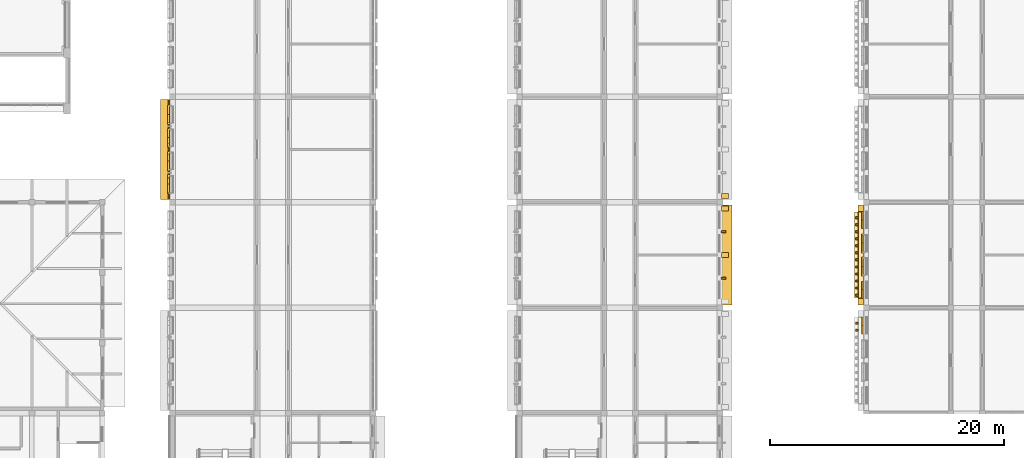
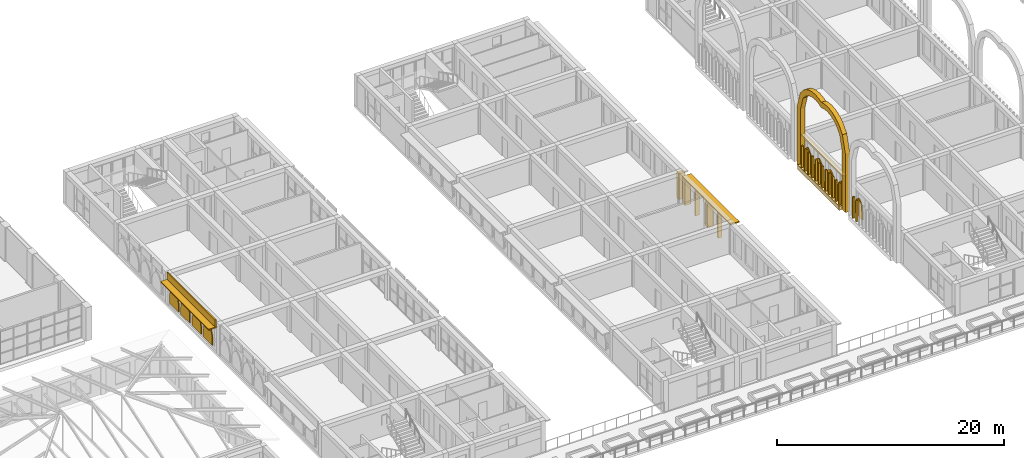
# One storey, part 75 of 82: 23 coverings, 11 shading devices.
"""IFC4 building model written with IfcOpenShell, lengths in metres."""

import ifcopenshell
import ifcopenshell.guid

model = None  # the IFC model being written
_history = None  # IfcOwnerHistory: only IFC2X3 demands one
_inside = {}  # id of a spatial element -> (the spatial element, [elements in it])
_under = {}  # id of a project, library or spatial element -> (it, [spatial elements below it])
_declared = {}  # id of a project -> (the project, [libraries it declares])
_typed = {}  # id of a type object -> (the type object, [elements of that type])
_made_of = {}  # id of a material, layer set ... -> (it, [elements and type objects made of it])


def new_model(schema):
    """Start an empty IFC model of exactly this schema.

    Asked for "IFC4X3", IfcOpenShell would pick the latest addendum, in which some entities
    have other attributes; the version numbers below select the first issue.
    IFC2X3 requires an IfcOwnerHistory on every rooted entity: one is made here for all.
    """
    global model, _history
    if schema == "IFC4X3":
        model = ifcopenshell.file(schema_version=(4, 3, 0, 0))
    else:
        model = ifcopenshell.file(schema=schema)
    _inside.clear()
    _under.clear()
    _declared.clear()
    _typed.clear()
    _made_of.clear()
    _history = None
    if model.schema == "IFC2X3":
        org = make("IfcOrganization", Name="unknown")
        user = make(
            "IfcPersonAndOrganization",
            ThePerson=make("IfcPerson", FamilyName="unknown"),
            TheOrganization=org,
        )
        app = make(
            "IfcApplication",
            ApplicationDeveloper=org,
            Version="unknown",
            ApplicationFullName="unknown",
            ApplicationIdentifier="unknown",
        )
        _history = make(
            "IfcOwnerHistory",
            OwningUser=user,
            OwningApplication=app,
            ChangeAction="ADDED",
            CreationDate=0,
        )
    return model


def make(cls, **values):
    """One entity of the class cls with the attributes given. An attribute that is None is left unset."""
    return model.create_entity(
        cls, **{name: value for name, value in values.items() if value is not None}
    )


def rooted(cls, **values):
    """An entity with a GlobalId (a new one), such as an element, a storey or a relation."""
    return make(cls, GlobalId=ifcopenshell.guid.new(), OwnerHistory=_history, **values)


def si_unit(unit_type, name, prefix=None):
    """IfcSIUnit, for example si_unit("LENGTHUNIT", "METRE", prefix="MILLI")."""
    return make("IfcSIUnit", UnitType=unit_type, Prefix=prefix, Name=name)


def assignment(units):
    """IfcUnitAssignment: the units of a project."""
    return None if units is None else make("IfcUnitAssignment", Units=units)


def point(xyz):
    """IfcCartesianPoint."""
    return None if xyz is None else make("IfcCartesianPoint", Coordinates=xyz)


def direction(xyz):
    """IfcDirection."""
    return None if xyz is None else make("IfcDirection", DirectionRatios=xyz)


def frame(location, z_axis=None, x_axis=None):
    """IfcAxis2Placement3D, a coordinate frame: its origin and axes. An axis left out is left unset."""
    return make(
        "IfcAxis2Placement3D",
        Location=point(location),
        Axis=direction(z_axis),
        RefDirection=direction(x_axis),
    )


def frame_2d(location, x_axis=None):
    """IfcAxis2Placement2D, a coordinate frame in the plane: its origin and x axis."""
    return make(
        "IfcAxis2Placement2D", Location=point(location), RefDirection=direction(x_axis)
    )


def origin():
    """The frame at (0, 0, 0) with its axes left unset."""
    return frame((0.0, 0.0, 0.0))


def origin_2d():
    """The frame at (0, 0) in the plane with its x axis left unset."""
    return frame_2d((0.0, 0.0))


def place(relative_to, where):
    """IfcLocalPlacement: puts the frame where relative to a parent placement (None: the world)."""
    return make(
        "IfcLocalPlacement", PlacementRelTo=relative_to, RelativePlacement=where
    )


def context(
    kind, dimensions, precision=None, world=None, true_north=None, identifier=None
):
    """IfcGeometricRepresentationContext, for example the 3D "Model" context."""
    return make(
        "IfcGeometricRepresentationContext",
        ContextIdentifier=identifier,
        ContextType=kind,
        CoordinateSpaceDimension=dimensions,
        Precision=precision,
        WorldCoordinateSystem=world,
        TrueNorth=true_north,
    )


def subcontext(parent, identifier, kind, view, scale=None):
    """IfcGeometricRepresentationSubContext, for example "Body" below "Model"."""
    return make(
        "IfcGeometricRepresentationSubContext",
        ContextIdentifier=identifier,
        ContextType=kind,
        ParentContext=parent,
        TargetScale=scale,
        TargetView=view,
    )


def project(units=None, contexts=None):
    """IfcProject with its units and contexts."""
    return rooted(
        "IfcProject",
        Name="project",
        RepresentationContexts=contexts,
        UnitsInContext=assignment(units),
    )


def spatial(cls, under=None, at=None, **own):
    """A site, building, storey or space (cls), placed at a placement, below another one or the project."""
    s = rooted(cls, ObjectPlacement=at, **own)
    if under is not None:
        _under.setdefault(under.id(), (under, []))[1].append(s)
    return s


def polyline(points):
    """IfcPolyline through the points."""
    return make("IfcPolyline", Points=[point(p) for p in points])


def profile(cls, at=None, kind="AREA", **sizes):
    """A parametric profile (cls). Its sizes go by their IFC names, for example OverallWidth=200.0."""
    return make(cls, ProfileType=kind, Position=at, **sizes)


def rectangle(**sizes):
    """IfcRectangleProfileDef."""
    return profile("IfcRectangleProfileDef", **sizes)


def outline(outer, holes=None, kind="AREA"):
    """IfcArbitraryClosedProfileDef: a profile drawn as a closed curve; with holes, ...WithVoids."""
    if holes is None:
        return make("IfcArbitraryClosedProfileDef", ProfileType=kind, OuterCurve=outer)
    return make(
        "IfcArbitraryProfileDefWithVoids",
        ProfileType=kind,
        OuterCurve=outer,
        InnerCurves=holes,
    )


def extrude(swept, where, along, depth):
    """IfcExtrudedAreaSolid: the profile swept, set in the frame where, extruded along a direction by depth."""
    return make(
        "IfcExtrudedAreaSolid",
        SweptArea=swept,
        Position=where,
        ExtrudedDirection=direction(along),
        Depth=depth,
    )


def shape(context_of_items, identifier, shape_type, items):
    """IfcShapeRepresentation: the items that make up one representation, for example the "Body"."""
    return make(
        "IfcShapeRepresentation",
        ContextOfItems=context_of_items,
        RepresentationIdentifier=identifier,
        RepresentationType=shape_type,
        Items=items,
    )


def material(Name=None, Category=None):
    """IfcMaterial."""
    return make("IfcMaterial", Name=Name, Category=Category)


def layer(
    of_material, thickness, ventilated=None, Name=None, Category=None, Priority=None
):
    """IfcMaterialLayer: one layer of a wall or slab, of a material (None: an air gap)."""
    return make(
        "IfcMaterialLayer",
        Material=of_material,
        LayerThickness=thickness,
        IsVentilated=ventilated,
        Name=Name,
        Category=Category,
        Priority=Priority,
    )


def layer_set(layers, Name=None):
    """IfcMaterialLayerSet."""
    return make("IfcMaterialLayerSet", MaterialLayers=layers, LayerSetName=Name)


def made_of(thing, what):
    """Note that an element or type object is made of a material, layer set ...; save() writes the relation."""
    if what is not None:
        _made_of.setdefault(what.id(), (what, []))[1].append(thing)
    return thing


def type_object(cls, material=None, **own):
    """A type object (cls), such as IfcWallType, which elements share."""
    return made_of(rooted(cls, **own), material)


def element(
    cls,
    number,
    at=None,
    inside=None,
    cuts=None,
    type_object=None,
    material=None,
    context=None,
    identifier="Body",
    shape_type=None,
    held_by="IfcProductDefinitionShape",
    body=None,
    shapes=None,
    **own,
):
    """One element of the class cls, such as IfcWall. Its Tag is "e" and its number.

    at: its placement. inside: the storey or other place that contains it. cuts: it is an
    opening in that element (IfcRelVoidsElement). A single representation is given by context,
    identifier, shape_type and body (its items); several are given by shapes. held_by: the class
    of the entity that holds the representations. save() writes the other relations.
    """
    e = rooted(cls, Tag="e%d" % number, ObjectPlacement=at, **own)
    if body is not None:
        shapes = [shape(context, identifier, shape_type, body)]
    if shapes is not None:
        e.Representation = make(held_by, Representations=shapes)
    if inside is not None:
        _inside.setdefault(inside.id(), (inside, []))[1].append(e)
    if cuts is not None:
        rooted(
            "IfcRelVoidsElement", RelatingBuildingElement=cuts, RelatedOpeningElement=e
        )
    if type_object is not None:
        _typed.setdefault(type_object.id(), (type_object, []))[1].append(e)
    return made_of(e, material)


def aggregate(whole, parts):
    """IfcRelAggregates: a whole, such as a stair, and the parts it consists of."""
    return rooted("IfcRelAggregates", RelatingObject=whole, RelatedObjects=parts)


def save(model, path):
    """Write the relations noted so far, then the file.

    IfcRelAggregates (storeys below a building ...), IfcRelContainedInSpatialStructure (elements
    in a storey), IfcRelDefinesByType, IfcRelAssociatesMaterial and IfcRelDeclares: one each for
    every whole, place, type object, material and project.
    """
    for whole, parts in _under.values():
        aggregate(whole, parts)
    for where, things in _inside.values():
        rooted(
            "IfcRelContainedInSpatialStructure",
            RelatedElements=things,
            RelatingStructure=where,
        )
    for kind, things in _typed.values():
        rooted("IfcRelDefinesByType", RelatedObjects=things, RelatingType=kind)
    for what, things in _made_of.values():
        rooted("IfcRelAssociatesMaterial", RelatedObjects=things, RelatingMaterial=what)
    for by, libraries in _declared.values():
        rooted("IfcRelDeclares", RelatingContext=by, RelatedDefinitions=libraries)
    model.write(path)


model = new_model("IFC4")

# Units and contexts
model_context = context("Model", 3, precision=1e-05, world=origin(), true_north=direction((0.0, 1.0)))
body_context = subcontext(model_context, "Body", "Model", "MODEL_VIEW")
ifc_project = project(units=[si_unit("LENGTHUNIT", "METRE"), si_unit("AREAUNIT", "SQUARE_METRE"), si_unit("VOLUMEUNIT", "CUBIC_METRE"), si_unit("PLANEANGLEUNIT", "RADIAN"), si_unit("MASSUNIT", "GRAM", prefix="KILO")], contexts=[model_context])

# Site, building, storey
site_placement = place(None, origin())
site = spatial("IfcSite", under=ifc_project, at=site_placement, CompositionType="ELEMENT")
building_placement = place(site_placement, origin())
building = spatial("IfcBuilding", under=site, at=building_placement, Name="Elbe Cascade School", CompositionType="ELEMENT")
storey_placement = place(building_placement, frame((0.0, 0.0, 4.5)))
storey = spatial("IfcBuildingStorey", under=building, at=storey_placement, Name="L01", CompositionType="ELEMENT", Elevation=4.5)

# Shading devices
ifc_material_1 = material(Name="Precast concrete C30/37", Category="concrete")
ifc_layer_1 = layer(ifc_material_1, 0.1201171875)
ifc_layer_set_1 = layer_set([ifc_layer_1], Name="Precast concrete C30/37")
shading_device_type_1 = type_object("IfcShadingDeviceType", Name="Bars envelope Chhajja eave, precast concrete, 900 x 120", PredefinedType="USERDEFINED", material=ifc_layer_set_1)
for number, where, z_axis, x_axis, name in (
    (1, (68.429931640625, 37.5, 2.72998046875), (0.0, 0.0, 1.0), (0.0, 1.0, 0.0), "Chhajja eave SD2 A.L01.w4"),
    (2, (116.27001953125, 28.5, 2.72998046875), (0.0, 0.0, 1.0), (0.0, 1.0, 0.0), "Chhajja eave SD2 B.L01.e3"),
):
    element("IfcShadingDevice", number, at=place(storey_placement, frame(where, z_axis=z_axis, x_axis=x_axis)), inside=storey, type_object=shading_device_type_1, Name=name, ObjectType="CHHAJJA", PredefinedType="USERDEFINED", context=body_context, shape_type="SweptSolid", body=[
        extrude(rectangle(XDim=8.5, YDim=0.89990234375, at=origin_2d()), origin(), (0.0, 0.0, 1.0), 0.1201171875),
    ])
ifc_material_2 = material(Name="Precast concrete C40/50", Category="concrete")
ifc_layer_2 = layer(ifc_material_2, 0.10009765625)
ifc_layer_set_2 = layer_set([ifc_layer_2], Name="Precast concrete C40/50")
shading_device_type_2 = type_object("IfcShadingDeviceType", Name="Bars envelope Jali screen 1400 x 1940, pointed arch rise 1200, pierced precast concrete", PredefinedType="USERDEFINED", material=ifc_layer_set_2)
shading_device_1_placement = place(storey_placement, frame((127.800048828125, 21.77001953125, 1.340087890625), z_axis=(-1.0, 0.0, 0.0), x_axis=(0.0, 0.178010233327, 0.984028636184)))
element("IfcShadingDevice", 3, at=shading_device_1_placement, inside=storey, type_object=shading_device_type_2, Name="Jali screen SD5 C.L01.w2.4", ObjectType="JALI", PredefinedType="USERDEFINED", context=body_context, shape_type="SweptSolid", body=[
    extrude(outline(polyline([(0.0, 0.0), (0.4909961754247877, 0.0), (0.6925449640407739, 0.05260897455936113), (0.8428788821146216, 0.11423458756170396), (0.9653882612323997, 0.18114174736631955), (1.0691153542525929, 0.2511985091151042), (1.1586682066636846, 0.32381938311151803), (1.2367329330241117, 0.3987665558959881), (1.3053847865709356, 0.4751684089694145), (1.26789341576225, 0.5710196155015056), (1.2209891721399608, 0.6683255023225533), (1.1625533429373862, 0.767717446565401), (1.0899867326553312, 0.869913744422134), (0.9986378362756912, 0.9752596442230361), (0.8794644009399817, 1.0858870908262108), (0.7090760950621335, 1.205531175872367), (0.2491969428458631, 1.3775439941116288), (-0.47897463827592734, 1.509269828392377), (-0.7281715811217905, 0.13172583428074836), (0.0, 0.0)])), origin(), (0.0, 0.0, -1.0), 0.10009765625),
])
shading_device_2_placement = place(storey_placement, frame((127.800048828125, 24.830078125, 1.340087890625), z_axis=(-1.0, 0.0, 0.0), x_axis=(0.0, 0.178010233327, 0.984028636184)))
element("IfcShadingDevice", 4, at=shading_device_2_placement, inside=storey, type_object=shading_device_type_2, Name="Jali screen SD5 C.L01.w3.1", ObjectType="JALI", PredefinedType="USERDEFINED", context=body_context, shape_type="SweptSolid", body=[
    extrude(outline(polyline([(0.0, 0.0), (0.4909961754247877, 0.0), (0.6925015045111531, 0.05236873319310516), (0.8428788821146216, 0.11423458756170396), (0.9653448017027789, 0.1809015060000636), (1.0691153542525929, 0.2511985091151042), (1.1586682066636846, 0.32381938311151803), (1.2366894734944909, 0.3985263145297321), (1.3053847865709356, 0.4751684089694145), (1.267849956232629, 0.5707793741352497), (1.2209891721399608, 0.6683255023225533), (1.1625533429373862, 0.767717446565401), (1.0899432731257104, 0.8696735030558779), (0.9986378362756912, 0.9752596442230361), (0.8794209414103609, 1.0856468494599547), (0.7090760950621335, 1.205531175872367), (0.2491969428458631, 1.3775439941116288), (-0.47897463827592734, 1.509269828392377), (-0.7281715811217905, 0.13172583428074836), (0.0, 0.0)])), origin(), (0.0, 0.0, -1.0), 0.10009765625),
])
shading_device_3_placement = place(storey_placement, frame((127.800048828125, 30.77001953125, 1.340087890625), z_axis=(-1.0, 0.0, 0.0), x_axis=(0.0, 0.178010233327, 0.984028636184)))
element("IfcShadingDevice", 5, at=shading_device_3_placement, inside=storey, type_object=shading_device_type_2, Name="Jali screen SD5 C.L01.w3.4", ObjectType="JALI", PredefinedType="USERDEFINED", context=body_context, shape_type="SweptSolid", body=[
    extrude(outline(polyline([(0.0, 0.0), (0.4909961754247877, 0.0), (0.6925449640407739, 0.05260897455936113), (0.8428788821146216, 0.11423458756170396), (0.9653882612323997, 0.18114174736631955), (1.0691153542525929, 0.2511985091151042), (1.1586682066636846, 0.32381938311151803), (1.2367329330241117, 0.3987665558959881), (1.3053847865709356, 0.4751684089694145), (1.26789341576225, 0.5710196155015056), (1.2209891721399608, 0.6683255023225533), (1.1625533429373862, 0.767717446565401), (1.0899867326553312, 0.869913744422134), (0.9986378362756912, 0.9752596442230361), (0.8794644009399817, 1.0858870908262108), (0.7090760950621335, 1.205531175872367), (0.2491969428458631, 1.3775439941116288), (-0.47897463827592734, 1.509269828392377), (-0.7281715811217905, 0.13172583428074836), (0.0, 0.0)])), origin(), (0.0, 0.0, -1.0), 0.10009765625),
])
ifc_material_3 = material(Name="Precast concrete C40/50", Category="concrete")
ifc_layer_3 = layer(ifc_material_3, 0.10009765625)
ifc_layer_set_3 = layer_set([ifc_layer_3], Name="Precast concrete C40/50")
shading_device_type_3 = type_object("IfcShadingDeviceType", Name="Bars envelope Jali screen 1600 x 1940, pointed arch rise 1200, pierced precast concrete", PredefinedType="USERDEFINED", material=ifc_layer_set_3)
shading_device_4_placement = place(storey_placement, frame((68.60009765625, 33.72998046875, 1.340087890625), z_axis=(-1.0, 0.0, 0.0), x_axis=(0.0, 0.196300278283, 0.98054382908)))
element("IfcShadingDevice", 6, at=shading_device_4_placement, inside=storey, type_object=shading_device_type_3, Name="Jali screen SD4 A.L01.w4.1", ObjectType="JALI", PredefinedType="USERDEFINED", context=body_context, shape_type="SweptSolid", body=[
    extrude(outline(polyline([(0.0, 0.0), (0.509921112317134, 0.0), (0.7184015554229473, 0.06009802405484588), (0.8733064327485943, 0.13117061016154), (0.9982395622926888, 0.20799441476340969), (1.102872417131342, 0.2891312241218946), (1.1917054934740825, 0.37343107507379947), (1.268281725197354, 0.45993570394643946), (1.3336545243794973, 0.5489321924158467), (1.3075321958793382, 0.6559965916457164), (1.2702064348380508, 0.7655528504723534), (1.220671754049922, 0.877553277802997), (1.155289369893253, 0.9924773561437888), (1.0696067110311427, 1.1117144392411962), (0.9539523043874798, 1.2367027408337792), (0.7847223319636507, 1.37266560447821), (0.31409961520112845, 1.5689658827607584), (-0.41149324269448634, 1.7142261716949392), (-0.7255928578956148, 0.1452602889341807), (0.0, 0.0)])), origin(), (0.0, 0.0, -1.0), 0.10009765625),
])
for number, where, z_axis, x_axis, name in (
    (7, (68.60009765625, 35.7099609375, 1.340087890625), (-1.0, 0.0, 0.0), (0.0, 0.196300278283, 0.98054382908), "Jali screen SD4 A.L01.w4.2"),
    (8, (68.60009765625, 37.68994140625, 1.340087890625), (-1.0, 0.0, 0.0), (0.0, 0.196300278283, 0.98054382908), "Jali screen SD4 A.L01.w4.3"),
):
    element("IfcShadingDevice", number, at=place(storey_placement, frame(where, z_axis=z_axis, x_axis=x_axis)), inside=storey, type_object=shading_device_type_3, Name=name, ObjectType="JALI", PredefinedType="USERDEFINED", context=body_context, shape_type="SweptSolid", body=[
        extrude(outline(polyline([(0.0, 0.0), (0.509921112317134, 0.0), (0.7184015554229473, 0.06009802405484588), (0.8733064327485943, 0.13117061016154), (0.9982874871653163, 0.20823380534668107), (1.102872417131342, 0.2891312241218946), (1.1917054934740825, 0.37343107507379947), (1.268281725197354, 0.45993570394643946), (1.3336545243794973, 0.5489321924158467), (1.3075801207519657, 0.6562359822289878), (1.2702064348380508, 0.7655528504723534), (1.220671754049922, 0.877553277802997), (1.155289369893253, 0.9924773561437888), (1.0696067110311427, 1.1117144392411962), (0.9540002292601073, 1.2369421314170506), (0.7847223319636507, 1.37266560447821), (0.31409961520112845, 1.5689658827607584), (-0.41149324269448634, 1.7142261716949392), (-0.7255928578956148, 0.1452602889341807), (0.0, 0.0)])), origin(), (0.0, 0.0, -1.0), 0.10009765625),
    ])
shading_device_5_placement = place(storey_placement, frame((68.60009765625, 39.669921875, 1.340087890625), z_axis=(-1.0, 0.0, 0.0), x_axis=(0.0, 0.196300278283, 0.98054382908)))
element("IfcShadingDevice", 9, at=shading_device_5_placement, inside=storey, type_object=shading_device_type_3, Name="Jali screen SD4 A.L01.w4.4", ObjectType="JALI", PredefinedType="USERDEFINED", context=body_context, shape_type="SweptSolid", body=[
    extrude(outline(polyline([(0.0, 0.0), (0.509921112317134, 0.0), (0.7184494802955748, 0.06033741463811729), (0.8733064327485943, 0.13117061016154), (0.9982874871653163, 0.20823380534668107), (1.102872417131342, 0.2891312241218946), (1.1917054934740825, 0.37343107507379947), (1.2683296500699814, 0.46017509452971084), (1.3336545243794973, 0.5489321924158467), (1.3075801207519657, 0.6562359822289878), (1.2702064348380508, 0.7655528504723534), (1.220671754049922, 0.877553277802997), (1.1553372947658807, 0.9927167467270602), (1.0696067110311427, 1.1117144392411962), (0.9540002292601073, 1.2369421314170506), (0.7847223319636507, 1.37266560447821), (0.31409961520112845, 1.5689658827607584), (-0.41149324269448634, 1.7142261716949392), (-0.7255928578956148, 0.1452602889341807), (0.0, 0.0)])), origin(), (0.0, 0.0, -1.0), 0.10009765625),
])
for number, where, z_axis, x_axis, name in (
    (10, (127.800048828125, 26.7099609375, 1.340087890625), (-1.0, 0.0, 0.0), (0.0, 0.196300278283, 0.98054382908), "Jali screen SD4 C.L01.w3.2"),
    (11, (127.800048828125, 28.68994140625, 1.340087890625), (-1.0, 0.0, 0.0), (0.0, 0.196300278283, 0.98054382908), "Jali screen SD4 C.L01.w3.3"),
):
    element("IfcShadingDevice", number, at=place(storey_placement, frame(where, z_axis=z_axis, x_axis=x_axis)), inside=storey, type_object=shading_device_type_3, Name=name, ObjectType="JALI", PredefinedType="USERDEFINED", context=body_context, shape_type="SweptSolid", body=[
        extrude(outline(polyline([(0.0, 0.0), (0.509921112317134, 0.0), (0.7184015554229473, 0.06009802405484588), (0.8733064327485943, 0.13117061016154), (0.9982874871653163, 0.20823380534668107), (1.102872417131342, 0.2891312241218946), (1.1917054934740825, 0.37343107507379947), (1.268281725197354, 0.45993570394643946), (1.3336545243794973, 0.5489321924158467), (1.3075801207519657, 0.6562359822289878), (1.2702064348380508, 0.7655528504723534), (1.220671754049922, 0.877553277802997), (1.155289369893253, 0.9924773561437888), (1.0696067110311427, 1.1117144392411962), (0.9540002292601073, 1.2369421314170506), (0.7847223319636507, 1.37266560447821), (0.31409961520112845, 1.5689658827607584), (-0.41149324269448634, 1.7142261716949392), (-0.7255928578956148, 0.1452602889341807), (0.0, 0.0)])), origin(), (0.0, 0.0, -1.0), 0.10009765625),
    ])

# Coverings
ifc_material_4 = material(Name="Precast concrete C40/50", Category="concrete")
covering_type_1 = type_object("IfcCoveringType", Name="Bars envelope Precast concrete fin, 140 wide, 400 deep", PredefinedType="CLADDING", material=ifc_material_4)
for number, where, z_axis, x_axis, name in (
    (12, (116.02001953125, 26.52001953125, 0.0), (0.0, 0.0, 1.0), (0.0, 1.0, 0.0), "Fin CV56 B.L01.e3.4"),
    (13, (116.02001953125, 30.47998046875, 0.0), (0.0, 0.0, 1.0), (0.0, 1.0, 0.0), "Fin CV56 B.L01.e3.5"),
):
    element("IfcCovering", number, at=place(storey_placement, frame(where, z_axis=z_axis, x_axis=x_axis)), inside=storey, type_object=covering_type_1, Name=name, PredefinedType="CLADDING", context=body_context, shape_type="SweptSolid", body=[
        extrude(rectangle(XDim=0.139892578125, YDim=0.39990234375, at=origin_2d()), origin(), (0.0, 0.0, 1.0), 2.72998046875),
    ])
ifc_material_5 = material(Name="Precast concrete C40/50", Category="concrete")
covering_type_2 = type_object("IfcCoveringType", Name="Bars envelope Precast concrete fin, 450 wide, 600 deep", PredefinedType="CLADDING", material=ifc_material_5)
for number, where, z_axis, x_axis, name in (
    (14, (116.1201171875, 28.5, 0.0), (0.0, 0.0, 1.0), (0.0, 1.0, 0.0), "Fin CV55 B.L01.e3.2"),
    (15, (116.1201171875, 32.4599609375, 0.0), (0.0, 0.0, 1.0), (0.0, 1.0, 0.0), "Fin CV55 B.L01.e3.3"),
    (16, (116.1201171875, 33.5400390625, 0.0), (0.0, 0.0, 1.0), (0.0, 1.0, 0.0), "Fin CV55 B.L01.e4.1"),
):
    element("IfcCovering", number, at=place(storey_placement, frame(where, z_axis=z_axis, x_axis=x_axis)), inside=storey, type_object=covering_type_2, Name=name, PredefinedType="CLADDING", context=body_context, shape_type="SweptSolid", body=[
        extrude(rectangle(XDim=0.449951171875, YDim=0.60009765625, at=origin_2d()), origin(), (0.0, 0.0, 1.0), 2.72998046875),
    ])
ifc_material_6 = material(Name="Sandstone - red", Category="masonry")
covering_type_3 = type_object("IfcCoveringType", Name="Bars envelope Sandstone arch frame single, 8500 wide, 450 deep", PredefinedType="CLADDING", material=ifc_material_6)
covering_1_placement = place(storey_placement, frame((127.5, 24.25, 0.0), z_axis=(-1.0, 0.0, 0.0), x_axis=(0.0, 0.0, 1.0)))
element("IfcCovering", 17, at=covering_1_placement, inside=storey, type_object=covering_type_3, Name="Arch frame CV52 C.L01.w3", PredefinedType="CLADDING", context=body_context, shape_type="SweptSolid", body=[
    extrude(outline(polyline([(0.0, 0.0), (6.300048828125, 0.0), (8.060791015625, 0.53125), (8.67431640625, 1.0625), (9.058349609375, 1.59375), (9.302490234375, 2.125), (9.439697265625, 2.65625), (9.48388671875, 3.1875), (9.438720703125, 3.71875), (9.300048828125, 4.25), (9.438720703125, 4.78125), (9.48388671875, 5.3125), (9.439697265625, 5.84375), (9.302490234375, 6.375), (9.058349609375, 6.90625), (8.67431640625, 7.4375), (8.060791015625, 7.96875), (6.300048828125, 8.5), (0.0, 8.5), (0.0, 7.919921875), (6.300048828125, 7.919921875), (7.784912109375, 7.461181640625), (8.29736328125, 7.00244140625), (8.613525390625, 6.543701171875), (8.80908203125, 6.0849609375), (8.910888671875, 5.626220703125), (8.93017578125, 5.16748046875), (8.86865234375, 4.708740234375), (8.719970703125, 4.25), (8.86865234375, 3.791259765625), (8.93017578125, 3.33251953125), (8.910888671875, 2.873779296875), (8.80908203125, 2.4150390625), (8.613525390625, 1.956298828125), (8.29736328125, 1.49755859375), (7.784912109375, 1.038818359375), (6.300048828125, 0.580078125), (0.0, 0.580078125), (0.0, 0.0)])), origin(), (0.0, 0.0, -1.0), 0.449951171875),
])
ifc_material_7 = material(Name="Sandstone - red", Category="masonry")
covering_type_4 = type_object("IfcCoveringType", Name="Bars envelope Sandstone floor ledge, 400 deep", PredefinedType="CLADDING", material=ifc_material_7)
covering_2_placement = place(storey_placement, frame((127.75, 28.5, 3.4599609375), z_axis=(0.0, 0.0, 1.0), x_axis=(0.0, 1.0, 0.0)))
element("IfcCovering", 18, at=covering_2_placement, inside=storey, type_object=covering_type_4, Name="Floor ledge CV64 C.L01.w2.1", PredefinedType="CLADDING", context=body_context, shape_type="SweptSolid", body=[
    extrude(rectangle(XDim=7.340087890625, YDim=0.39990234375, at=origin_2d()), origin(), (0.0, 0.0, 1.0), 0.139892578125),
])
ifc_material_8 = material(Name="Sandstone - red", Category="masonry")
covering_type_5 = type_object("IfcCoveringType", Name="Bars envelope Sandstone planter kerb, 750 deep", PredefinedType="CLADDING", material=ifc_material_8)
covering_3_placement = place(storey_placement, frame((127.574951171875, 28.5, 0.0), z_axis=(0.0, 0.0, 1.0), x_axis=(0.0, 1.0, 0.0)))
element("IfcCovering", 19, at=covering_3_placement, inside=storey, type_object=covering_type_5, Name="Planter kerb CV65 C.L01.w2.1", PredefinedType="CLADDING", context=body_context, shape_type="SweptSolid", body=[
    extrude(rectangle(XDim=7.340087890625, YDim=0.75, at=origin_2d()), origin(), (0.0, 0.0, 1.0), 0.449951171875),
])
ifc_material_9 = material(Name="Sandstone - red", Category="masonry")
covering_type_6 = type_object("IfcCoveringType", Name="Bars envelope Sandstone slat, 160 wide, 200 deep", PredefinedType="CLADDING", material=ifc_material_9)
for number, where, z_axis, x_axis, name in (
    (20, (127.39990234375, 22.080078125, 0.4501953125), (0.0, 0.0, 1.0), (0.0, 1.0, 0.0), "Slat CV66 C.L01.w1.1.11"),
    (21, (127.39990234375, 22.679931640625, 0.4501953125), (0.0, 0.0, 1.0), (0.0, 1.0, 0.0), "Slat CV66 C.L01.w1.1.12"),
    (22, (127.39990234375, 25.080078125, 0.4501953125), (0.0, 0.0, 1.0), (0.0, 1.0, 0.0), "Slat CV66 C.L01.w2.1.1"),
    (23, (127.39990234375, 25.679931640625, 0.4501953125), (0.0, 0.0, 1.0), (0.0, 1.0, 0.0), "Slat CV66 C.L01.w2.1.2"),
    (24, (127.39990234375, 26.280029296875, 0.4501953125), (0.0, 0.0, 1.0), (0.0, 1.0, 0.0), "Slat CV66 C.L01.w2.1.3"),
    (25, (127.39990234375, 26.8798828125, 0.4501953125), (0.0, 0.0, 1.0), (0.0, 1.0, 0.0), "Slat CV66 C.L01.w2.1.4"),
    (26, (127.39990234375, 27.47998046875, 0.4501953125), (0.0, 0.0, 1.0), (0.0, 1.0, 0.0), "Slat CV66 C.L01.w2.1.5"),
    (27, (127.39990234375, 28.080078125, 0.4501953125), (0.0, 0.0, 1.0), (0.0, 1.0, 0.0), "Slat CV66 C.L01.w2.1.6"),
    (28, (127.39990234375, 28.679931640625, 0.4501953125), (0.0, 0.0, 1.0), (0.0, 1.0, 0.0), "Slat CV66 C.L01.w2.1.7"),
    (29, (127.39990234375, 29.280029296875, 0.4501953125), (0.0, 0.0, 1.0), (0.0, 1.0, 0.0), "Slat CV66 C.L01.w2.1.8"),
    (30, (127.39990234375, 29.8798828125, 0.4501953125), (0.0, 0.0, 1.0), (0.0, 1.0, 0.0), "Slat CV66 C.L01.w2.1.9"),
    (31, (127.39990234375, 30.47998046875, 0.4501953125), (0.0, 0.0, 1.0), (0.0, 1.0, 0.0), "Slat CV66 C.L01.w2.1.10"),
    (32, (127.39990234375, 31.080078125, 0.4501953125), (0.0, 0.0, 1.0), (0.0, 1.0, 0.0), "Slat CV66 C.L01.w2.1.11"),
    (33, (127.39990234375, 31.679931640625, 0.4501953125), (0.0, 0.0, 1.0), (0.0, 1.0, 0.0), "Slat CV66 C.L01.w2.1.12"),
):
    element("IfcCovering", number, at=place(storey_placement, frame(where, z_axis=z_axis, x_axis=x_axis)), inside=storey, type_object=covering_type_6, Name=name, PredefinedType="CLADDING", context=body_context, shape_type="SweptSolid", body=[
        extrude(rectangle(XDim=0.159912109375, YDim=0.199951171875, at=origin_2d()), origin(), (0.0, 0.0, 1.0), 2.280029296875),
    ])
ifc_material_10 = material(Name="Sandstone - red", Category="masonry")
covering_type_7 = type_object("IfcCoveringType", Name="Bars envelope Sandstone spandrel band, 120 deep", PredefinedType="CLADDING", material=ifc_material_10)
covering_4_placement = place(storey_placement, frame((68.68994140625, 37.5, 2.85009765625), z_axis=(0.0, 0.0, 1.0), x_axis=(0.0, 1.0, 0.0)))
element("IfcCovering", 34, at=covering_4_placement, inside=storey, type_object=covering_type_7, Name="Spandrel band CV53 A.L01.w3.1", PredefinedType="CLADDING", context=body_context, shape_type="SweptSolid", body=[
    extrude(rectangle(XDim=8.5, YDim=0.1201171875, at=origin_2d()), origin(), (0.0, 0.0, 1.0), 0.75),
])

save(model, "model.ifc")
